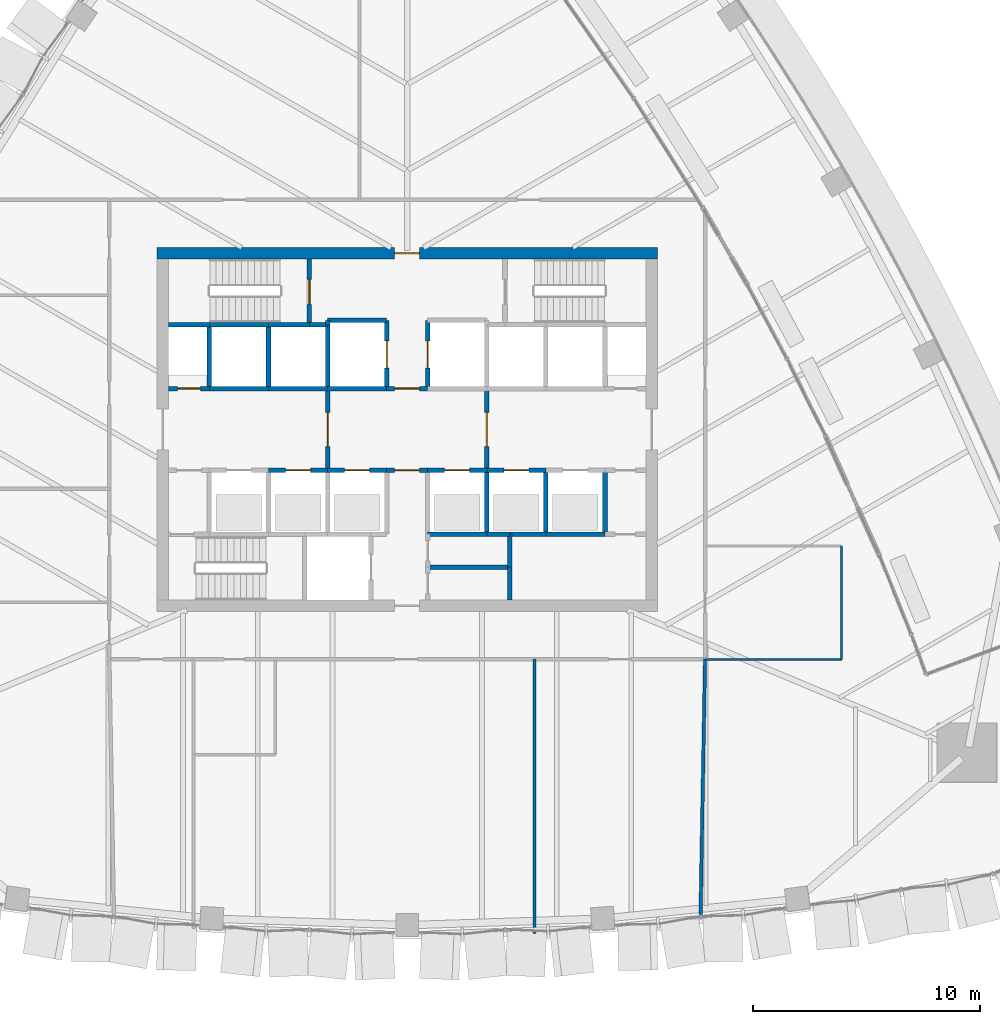
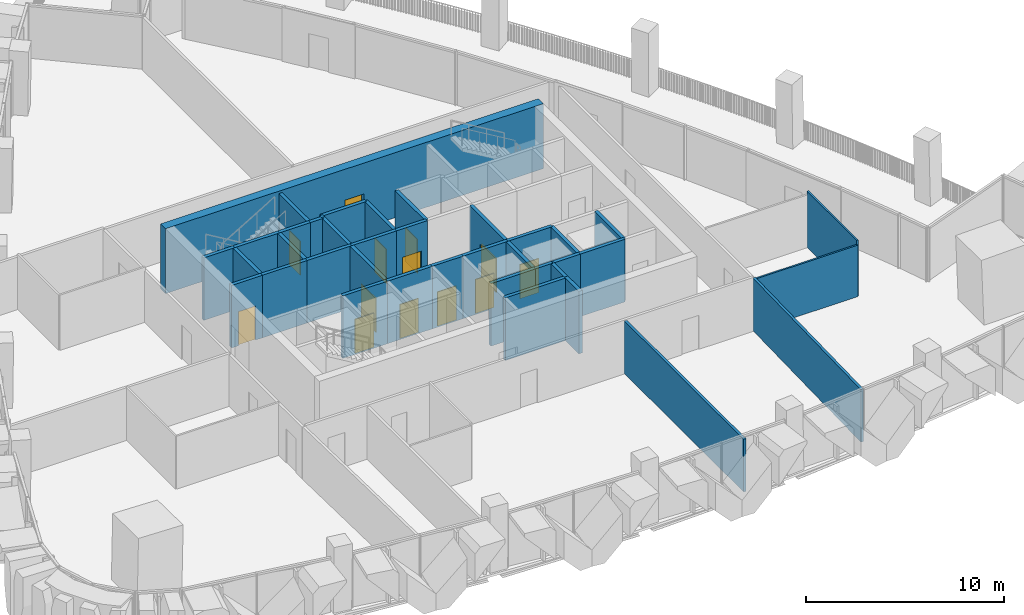
# One storey, part 15 of 22: 39 walls, 13 doors, 13 openings.
"""IFC4 building model written with IfcOpenShell, lengths in metres."""

from ifc_helpers import new_model, si_unit, direction, frame, frame_2d, origin, place, context, subcontext, project, spatial, rectangle, extrude, material, layer, layer_set, type_object, element, fill, save


model = new_model("IFC4")

# Units and contexts
model_context = context("Model", 3, precision=1e-05, world=origin(), true_north=direction((0.0, 1.0)))
body_context = subcontext(model_context, "Body", "Model", "MODEL_VIEW")
ifc_project = project(units=[si_unit("LENGTHUNIT", "METRE"), si_unit("AREAUNIT", "SQUARE_METRE"), si_unit("VOLUMEUNIT", "CUBIC_METRE"), si_unit("PLANEANGLEUNIT", "RADIAN"), si_unit("MASSUNIT", "GRAM", prefix="KILO")], contexts=[model_context])

# Site, building, storey
site_placement = place(None, origin())
site = spatial("IfcSite", under=ifc_project, at=site_placement, CompositionType="ELEMENT")
building_placement = place(site_placement, origin())
building = spatial("IfcBuilding", under=site, at=building_placement, Name="Sierra Prisma Convention Tower", CompositionType="ELEMENT")
storey_placement = place(building_placement, frame((0.0, 0.0, 141.800048828125)))
storey = spatial("IfcBuildingStorey", under=building, at=storey_placement, Name="L30", CompositionType="ELEMENT", Elevation=141.800048828125)

# Walls
ifc_material_1 = material(Name="Gypsum board partition", Category="gypsum")
ifc_layer_1 = layer(ifc_material_1, 0.10009765625)
ifc_layer_set_1 = layer_set([ifc_layer_1], Name="Bathroom partition 100")
wall_type_1 = type_object("IfcWallType", Name="Bathroom partition 100", PredefinedType="PARTITIONING", material=ifc_layer_set_1)
wall_1_placement = place(storey_placement, frame((19.10009765625, -5.1201171875, 0.0), z_axis=(0.0, 0.0, 1.0), x_axis=(0.0, -1.0, 0.0)))
element("IfcWall", 1, at=wall_1_placement, inside=storey, type_object=wall_type_1, Name="Partition L30 bath 8", PredefinedType="PARTITIONING", context=body_context, shape_type="SweptSolid", body=[
    extrude(rectangle(XDim=5.0, YDim=0.10009765625, at=frame_2d((2.5, 0.0))), origin(), (0.0, 0.0, 1.0), 3.449951171875),
])
wall_2_placement = place(storey_placement, frame((19.10009765625, -10.1201171875, 0.0), z_axis=(0.0, 0.0, 1.0), x_axis=(-1.0, 0.0, 0.0)))
element("IfcWall", 2, at=wall_2_placement, inside=storey, type_object=wall_type_1, Name="Partition L30 bath 9", PredefinedType="PARTITIONING", context=body_context, shape_type="SweptSolid", body=[
    extrude(rectangle(XDim=5.97021484375, YDim=0.10009765625, at=frame_2d((2.985107421875, 0.0))), origin(), (0.0, 0.0, 1.0), 3.166015625),
])

# Wall, opening, door
ifc_material_2 = material(Name="Concrete C30/37", Category="concrete")
ifc_layer_2 = layer(ifc_material_2, 0.199951171875)
ifc_layer_set_2 = layer_set([ifc_layer_2], Name="Core wall RC 200 C30/37")
wall_type_2 = type_object("IfcWallType", Name="Core wall RC 200 C30/37", PredefinedType="SOLIDWALL", material=ifc_layer_set_2)
wall_3_placement = place(storey_placement, frame((-8.699951171875, 1.800048828125, 0.0), z_axis=(0.0, 0.0, 1.0), x_axis=(-1.0, 0.0, 0.0)))
wall_3 = element("IfcWall", 3, at=wall_3_placement, inside=storey, type_object=wall_type_2, Name="Core wall L30 3", PredefinedType="SOLIDWALL", context=body_context, shape_type="SweptSolid", body=[
    extrude(rectangle(XDim=1.800048828125, YDim=0.199951171875, at=frame_2d((0.89990234375, 0.0))), origin(), (0.0, 0.0, 1.0), 3.849853515625),
])
opening_1_placement = place(wall_3_placement, frame((0.39990234375, 0.0, 0.0)))
opening_1 = element("IfcOpeningElement", 4, at=opening_1_placement, cuts=wall_3, Name="Opening L30-D018", PredefinedType="OPENING", context=body_context, shape_type="SweptSolid", body=[
    extrude(rectangle(XDim=1.0, YDim=2.10009765625, at=frame_2d((0.5, 1.050048828125))), frame((0.0, 0.10009765625, 0.0), z_axis=(0.0, -1.0, 0.0), x_axis=(1.0, 0.0, 0.0)), (0.0, 0.0, 1.0), 0.199951171875),
])
ifc_material_3 = material(Name="Steel fire door leaf", Category="steel")
door_type_1 = type_object("IfcDoorType", Name="Door 1000x2100 FD60S", OperationType="SINGLE_SWING_LEFT", PredefinedType="DOOR", material=ifc_material_3)
door_1_placement = place(opening_1_placement, origin())
door_1 = element("IfcDoor", 5, at=door_1_placement, inside=storey, type_object=door_type_1, Name="Door L30 27", OperationType="SINGLE_SWING_LEFT", OverallHeight=2.10009765625, OverallWidth=1.0, PredefinedType="DOOR", context=body_context, shape_type="SweptSolid", body=[
    extrude(rectangle(XDim=1.0, YDim=2.10009765625, at=frame_2d((0.5, 1.050048828125))), frame((0.0, 0.02490234375, 0.0), z_axis=(0.0, -1.0, 0.0), x_axis=(1.0, 0.0, 0.0)), (0.0, 0.0, 1.0), 0.050048828125),
])
fill(opening_1, door_1)

# Walls
wall_4_placement = place(storey_placement, frame((-8.699951171875, 4.60009765625, 0.0), z_axis=(0.0, 0.0, 1.0), x_axis=(-1.0, 0.0, 0.0)))
element("IfcWall", 6, at=wall_4_placement, inside=storey, type_object=wall_type_2, Name="Core wall L30 4", PredefinedType="SOLIDWALL", context=body_context, shape_type="SweptSolid", body=[
    extrude(rectangle(XDim=1.800048828125, YDim=0.199951171875, at=frame_2d((0.89990234375, 0.0))), origin(), (0.0, 0.0, 1.0), 3.849853515625),
])
wall_5_placement = place(storey_placement, frame((-6.10009765625, 1.800048828125, 0.0), z_axis=(0.0, 0.0, 1.0), x_axis=(-1.0, 0.0, 0.0)))
element("IfcWall", 7, at=wall_5_placement, inside=storey, type_object=wall_type_2, Name="Core wall L30 8", PredefinedType="SOLIDWALL", context=body_context, shape_type="SweptSolid", body=[
    extrude(rectangle(XDim=2.599853515625, YDim=0.199951171875, at=frame_2d((1.2998046875, 0.0))), origin(), (0.0, 0.0, 1.0), 3.849853515625),
])
wall_6_placement = place(storey_placement, frame((-8.699951171875, 1.800048828125, 0.0), z_axis=(0.0, 0.0, 1.0), x_axis=(0.0, 1.0, 0.0)))
element("IfcWall", 8, at=wall_6_placement, inside=storey, type_object=wall_type_2, Name="Core wall L30 9", PredefinedType="SOLIDWALL", context=body_context, shape_type="SweptSolid", body=[
    extrude(rectangle(XDim=2.800048828125, YDim=0.199951171875, at=frame_2d((1.39990234375, 0.0))), origin(), (0.0, 0.0, 1.0), 3.849853515625),
])
wall_7_placement = place(storey_placement, frame((-6.10009765625, 4.60009765625, 0.0), z_axis=(0.0, 0.0, 1.0), x_axis=(-1.0, 0.0, 0.0)))
element("IfcWall", 9, at=wall_7_placement, inside=storey, type_object=wall_type_2, Name="Core wall L30 10", PredefinedType="SOLIDWALL", context=body_context, shape_type="SweptSolid", body=[
    extrude(rectangle(XDim=2.599853515625, YDim=0.199951171875, at=frame_2d((1.2998046875, 0.0))), origin(), (0.0, 0.0, 1.0), 3.849853515625),
])

# Wall, opening, door
wall_8_placement = place(storey_placement, frame((-6.10009765625, -1.800048828125, 0.0), z_axis=(0.0, 0.0, 1.0), x_axis=(1.0, 0.0, 0.0)))
wall_8 = element("IfcWall", 10, at=wall_8_placement, inside=storey, type_object=wall_type_2, Name="Core wall L30 13", PredefinedType="SOLIDWALL", context=body_context, shape_type="SweptSolid", body=[
    extrude(rectangle(XDim=2.60009765625, YDim=0.199951171875, at=frame_2d((1.300048828125, 0.0))), origin(), (0.0, 0.0, 1.0), 3.849853515625),
])
opening_2_placement = place(wall_8_placement, frame((0.75, 0.0, 0.0)))
opening_2 = element("IfcOpeningElement", 11, at=opening_2_placement, cuts=wall_8, Name="Opening L30-D005", PredefinedType="OPENING", context=body_context, shape_type="SweptSolid", body=[
    extrude(rectangle(XDim=1.10009765625, YDim=2.10009765625, at=frame_2d((0.550048828125, 1.050048828125))), frame((0.0, 0.10009765625, 0.0), z_axis=(0.0, -1.0, 0.0), x_axis=(1.0, 0.0, 0.0)), (0.0, 0.0, 1.0), 0.199951171875),
])
ifc_material_4 = material(Name="Steel fire door leaf", Category="steel")
door_type_2 = type_object("IfcDoorType", Name="Door 1100x2100 EI 90 sliding lift landing", OperationType="SLIDING_TO_LEFT", PredefinedType="DOOR", material=ifc_material_4)
door_2_placement = place(opening_2_placement, origin())
door_2 = element("IfcDoor", 12, at=door_2_placement, inside=storey, type_object=door_type_2, Name="Door L30 14", OperationType="SLIDING_TO_RIGHT", OverallHeight=2.10009765625, OverallWidth=1.10009765625, PredefinedType="DOOR", context=body_context, shape_type="SweptSolid", body=[
    extrude(rectangle(XDim=1.10009765625, YDim=2.10009765625, at=frame_2d((0.550048828125, 1.050048828125))), frame((0.0, 0.02490234375, 0.0), z_axis=(0.0, -1.0, 0.0), x_axis=(1.0, 0.0, 0.0)), (0.0, 0.0, 1.0), 0.050048828125),
])
fill(opening_2, door_2)

# Walls
wall_9_placement = place(storey_placement, frame((-3.5, 1.800048828125, 0.0), z_axis=(0.0, 0.0, 1.0), x_axis=(-1.0, 0.0, 0.0)))
element("IfcWall", 13, at=wall_9_placement, inside=storey, type_object=wall_type_2, Name="Core wall L30 14", PredefinedType="SOLIDWALL", context=body_context, shape_type="SweptSolid", body=[
    extrude(rectangle(XDim=2.60009765625, YDim=0.199951171875, at=frame_2d((1.300048828125, 0.0))), origin(), (0.0, 0.0, 1.0), 3.849853515625),
])
wall_10_placement = place(storey_placement, frame((-6.10009765625, 1.800048828125, 0.0), z_axis=(0.0, 0.0, 1.0), x_axis=(0.0, 1.0, 0.0)))
element("IfcWall", 14, at=wall_10_placement, inside=storey, type_object=wall_type_2, Name="Core wall L30 15", PredefinedType="SOLIDWALL", context=body_context, shape_type="SweptSolid", body=[
    extrude(rectangle(XDim=2.800048828125, YDim=0.199951171875, at=frame_2d((1.39990234375, 0.0))), origin(), (0.0, 0.0, 1.0), 3.849853515625),
])
wall_11_placement = place(storey_placement, frame((-4.300048828125, 4.60009765625, 0.0), z_axis=(0.0, 0.0, 1.0), x_axis=(-1.0, 0.0, 0.0)))
element("IfcWall", 15, at=wall_11_placement, inside=storey, type_object=wall_type_2, Name="Core wall L30 16", PredefinedType="SOLIDWALL", context=body_context, shape_type="SweptSolid", body=[
    extrude(rectangle(XDim=1.800048828125, YDim=0.199951171875, at=frame_2d((0.89990234375, 0.0))), origin(), (0.0, 0.0, 1.0), 3.849853515625),
])
wall_12_placement = place(storey_placement, frame((-3.5, 4.60009765625, 0.0), z_axis=(0.0, 0.0, 1.0), x_axis=(-1.0, 0.0, 0.0)))
element("IfcWall", 16, at=wall_12_placement, inside=storey, type_object=wall_type_2, Name="Core wall L30 19", PredefinedType="SOLIDWALL", context=body_context, shape_type="SweptSolid", body=[
    extrude(rectangle(XDim=0.800048828125, YDim=0.199951171875, at=frame_2d((0.39990234375, 0.0))), origin(), (0.0, 0.0, 1.0), 3.849853515625),
])

# Wall, opening, door
wall_13_placement = place(storey_placement, frame((-4.300048828125, 4.60009765625, 0.0), z_axis=(0.0, 0.0, 1.0), x_axis=(0.0, 1.0, 0.0)))
wall_13 = element("IfcWall", 17, at=wall_13_placement, inside=storey, type_object=wall_type_2, Name="Core wall L30 20", PredefinedType="SOLIDWALL", context=body_context, shape_type="SweptSolid", body=[
    extrude(rectangle(XDim=2.89990234375, YDim=0.199951171875, at=frame_2d((1.449951171875, 0.0))), origin(), (0.0, 0.0, 1.0), 3.849853515625),
])
opening_3_placement = place(wall_13_placement, frame((0.89990234375, 0.0, 0.0)))
opening_3 = element("IfcOpeningElement", 18, at=opening_3_placement, cuts=wall_13, Name="Opening L30-D021", PredefinedType="OPENING", context=body_context, shape_type="SweptSolid", body=[
    extrude(rectangle(XDim=1.10009765625, YDim=2.10009765625, at=frame_2d((0.550048828125, 1.050048828125))), frame((0.0, 0.10009765625, 0.0), z_axis=(0.0, -1.0, 0.0), x_axis=(1.0, 0.0, 0.0)), (0.0, 0.0, 1.0), 0.199951171875),
])
ifc_material_5 = material(Name="Steel fire door leaf", Category="steel")
door_type_3 = type_object("IfcDoorType", Name="Door 1100x2100 FD90S", OperationType="SINGLE_SWING_LEFT", PredefinedType="DOOR", material=ifc_material_5)
door_3_placement = place(opening_3_placement, origin())
door_3 = element("IfcDoor", 19, at=door_3_placement, inside=storey, type_object=door_type_3, Name="Door L30 30", OperationType="SINGLE_SWING_RIGHT", OverallHeight=2.10009765625, OverallWidth=1.10009765625, PredefinedType="DOOR", context=body_context, shape_type="SweptSolid", body=[
    extrude(rectangle(XDim=1.10009765625, YDim=2.10009765625, at=frame_2d((0.550048828125, 1.050048828125))), frame((0.0, 0.02490234375, 0.0), z_axis=(0.0, -1.0, 0.0), x_axis=(1.0, 0.0, 0.0)), (0.0, 0.0, 1.0), 0.050048828125),
])
fill(opening_3, door_3)

wall_14_placement = place(storey_placement, frame((-3.5, -1.800048828125, 0.0), z_axis=(0.0, 0.0, 1.0), x_axis=(1.0, 0.0, 0.0)))
wall_14 = element("IfcWall", 20, at=wall_14_placement, inside=storey, type_object=wall_type_2, Name="Core wall L30 23", PredefinedType="SOLIDWALL", context=body_context, shape_type="SweptSolid", body=[
    extrude(rectangle(XDim=2.60009765625, YDim=0.199951171875, at=frame_2d((1.300048828125, 0.0))), origin(), (0.0, 0.0, 1.0), 3.849853515625),
])
opening_4_placement = place(wall_14_placement, frame((0.75, 0.0, 0.0)))
opening_4 = element("IfcOpeningElement", 21, at=opening_4_placement, cuts=wall_14, Name="Opening L30-D006", PredefinedType="OPENING", context=body_context, shape_type="SweptSolid", body=[
    extrude(rectangle(XDim=1.10009765625, YDim=2.10009765625, at=frame_2d((0.550048828125, 1.050048828125))), frame((0.0, 0.10009765625, 0.0), z_axis=(0.0, -1.0, 0.0), x_axis=(1.0, 0.0, 0.0)), (0.0, 0.0, 1.0), 0.199951171875),
])
door_4_placement = place(opening_4_placement, origin())
door_4 = element("IfcDoor", 22, at=door_4_placement, inside=storey, type_object=door_type_2, Name="Door L30 15", OperationType="SLIDING_TO_LEFT", OverallHeight=2.10009765625, OverallWidth=1.10009765625, PredefinedType="DOOR", context=body_context, shape_type="SweptSolid", body=[
    extrude(rectangle(XDim=1.10009765625, YDim=2.10009765625, at=frame_2d((0.550048828125, 1.050048828125))), frame((0.0, 0.02490234375, 0.0), z_axis=(0.0, -1.0, 0.0), x_axis=(1.0, 0.0, 0.0)), (0.0, 0.0, 1.0), 0.050048828125),
])
fill(opening_4, door_4)

wall_15_placement = place(storey_placement, frame((-3.5, 1.800048828125, 0.0), z_axis=(0.0, 0.0, 1.0), x_axis=(0.0, -1.0, 0.0)))
wall_15 = element("IfcWall", 23, at=wall_15_placement, inside=storey, type_object=wall_type_2, Name="Core wall L30 24", PredefinedType="SOLIDWALL", context=body_context, shape_type="SweptSolid", body=[
    extrude(rectangle(XDim=3.60009765625, YDim=0.199951171875, at=frame_2d((1.800048828125, 0.0))), origin(), (0.0, 0.0, 1.0), 3.849853515625),
])
opening_5_placement = place(wall_15_placement, frame((1.050048828125, 0.0, 0.0)))
opening_5 = element("IfcOpeningElement", 24, at=opening_5_placement, cuts=wall_15, Name="Opening L30-D013", PredefinedType="OPENING", context=body_context, shape_type="SweptSolid", body=[
    extrude(rectangle(XDim=1.5, YDim=2.10009765625, at=frame_2d((0.75, 1.050048828125))), frame((0.0, 0.10009765625, 0.0), z_axis=(0.0, -1.0, 0.0), x_axis=(1.0, 0.0, 0.0)), (0.0, 0.0, 1.0), 0.199951171875),
])
ifc_material_6 = material(Name="Steel fire door leaf", Category="steel")
door_type_4 = type_object("IfcDoorType", Name="Door 1500x2100 FD30S", OperationType="DOUBLE_DOOR_SINGLE_SWING", PredefinedType="DOOR", material=ifc_material_6)
door_5_placement = place(opening_5_placement, origin())
door_5 = element("IfcDoor", 25, at=door_5_placement, inside=storey, type_object=door_type_4, Name="Door L30 22", OperationType="DOUBLE_DOOR_SINGLE_SWING", OverallHeight=2.10009765625, OverallWidth=1.5, PredefinedType="DOOR", context=body_context, shape_type="SweptSolid", body=[
    extrude(rectangle(XDim=1.5, YDim=2.10009765625, at=frame_2d((0.75, 1.050048828125))), frame((0.0, 0.02490234375, 0.0), z_axis=(0.0, -1.0, 0.0), x_axis=(1.0, 0.0, 0.0)), (0.0, 0.0, 1.0), 0.050048828125),
])
fill(opening_5, door_5)

# Walls
wall_16_placement = place(storey_placement, frame((-0.89990234375, 1.800048828125, 0.0), z_axis=(0.0, 0.0, 1.0), x_axis=(-1.0, 0.0, 0.0)))
element("IfcWall", 26, at=wall_16_placement, inside=storey, type_object=wall_type_2, Name="Core wall L30 25", PredefinedType="SOLIDWALL", context=body_context, shape_type="SweptSolid", body=[
    extrude(rectangle(XDim=2.60009765625, YDim=0.199951171875, at=frame_2d((1.300048828125, 0.0))), origin(), (0.0, 0.0, 1.0), 3.849853515625),
])
wall_17_placement = place(storey_placement, frame((-3.5, 4.60009765625, 0.0), z_axis=(0.0, 0.0, 1.0), x_axis=(0.0, -1.0, 0.0)))
element("IfcWall", 27, at=wall_17_placement, inside=storey, type_object=wall_type_2, Name="Core wall L30 26", PredefinedType="SOLIDWALL", context=body_context, shape_type="SweptSolid", body=[
    extrude(rectangle(XDim=2.800048828125, YDim=0.199951171875, at=frame_2d((1.39990234375, 0.0))), origin(), (0.0, 0.0, 1.0), 3.849853515625),
])

# Wall, opening, door
wall_18_placement = place(storey_placement, frame((-0.89990234375, 1.800048828125, 0.0), z_axis=(0.0, 0.0, 1.0), x_axis=(0.0, 1.0, 0.0)))
wall_18 = element("IfcWall", 28, at=wall_18_placement, inside=storey, type_object=wall_type_2, Name="Core wall L30 27", PredefinedType="SOLIDWALL", context=body_context, shape_type="SweptSolid", body=[
    extrude(rectangle(XDim=3.0, YDim=0.199951171875, at=frame_2d((1.5, 0.0))), origin(), (0.0, 0.0, 1.0), 3.849853515625),
])
opening_6_placement = place(wall_18_placement, frame((0.89990234375, 0.0, 0.0)))
opening_6 = element("IfcOpeningElement", 29, at=opening_6_placement, cuts=wall_18, Name="Opening L30-D010", PredefinedType="OPENING", context=body_context, shape_type="SweptSolid", body=[
    extrude(rectangle(XDim=1.199951171875, YDim=2.10009765625, at=frame_2d((0.60009765625, 1.050048828125))), frame((0.0, 0.10009765625, 0.0), z_axis=(0.0, -1.0, 0.0), x_axis=(1.0, 0.0, 0.0)), (0.0, 0.0, 1.0), 0.199951171875),
])
ifc_material_7 = material(Name="Steel fire door leaf", Category="steel")
door_type_5 = type_object("IfcDoorType", Name="Door 1200x2100 EI 90 sliding lift landing", OperationType="SLIDING_TO_LEFT", PredefinedType="DOOR", material=ifc_material_7)
door_6_placement = place(opening_6_placement, origin())
door_6 = element("IfcDoor", 30, at=door_6_placement, inside=storey, type_object=door_type_5, Name="Door L30 19", OperationType="SLIDING_TO_LEFT", OverallHeight=2.10009765625, OverallWidth=1.199951171875, PredefinedType="DOOR", context=body_context, shape_type="SweptSolid", body=[
    extrude(rectangle(XDim=1.199951171875, YDim=2.10009765625, at=frame_2d((0.60009765625, 1.050048828125))), frame((0.0, 0.02490234375, 0.0), z_axis=(0.0, -1.0, 0.0), x_axis=(1.0, 0.0, 0.0)), (0.0, 0.0, 1.0), 0.050048828125),
])
fill(opening_6, door_6)

# Walls
wall_19_placement = place(storey_placement, frame((-0.89990234375, 4.800048828125, 0.0), z_axis=(0.0, 0.0, 1.0), x_axis=(-1.0, 0.0, 0.0)))
element("IfcWall", 31, at=wall_19_placement, inside=storey, type_object=wall_type_2, Name="Core wall L30 28", PredefinedType="SOLIDWALL", context=body_context, shape_type="SweptSolid", body=[
    extrude(rectangle(XDim=2.60009765625, YDim=0.199951171875, at=frame_2d((1.300048828125, 0.0))), origin(), (0.0, 0.0, 1.0), 3.849853515625),
])
wall_20_placement = place(storey_placement, frame((-3.5, 4.800048828125, 0.0), z_axis=(0.0, 0.0, 1.0), x_axis=(0.0, -1.0, 0.0)))
element("IfcWall", 32, at=wall_20_placement, inside=storey, type_object=wall_type_2, Name="Core wall L30 29", PredefinedType="SOLIDWALL", context=body_context, shape_type="SweptSolid", body=[
    extrude(rectangle(XDim=0.199951171875, YDim=0.199951171875, at=frame_2d((0.10009765625, 0.0))), origin(), (0.0, 0.0, 1.0), 3.849853515625),
])

# Wall, opening, door
wall_21_placement = place(storey_placement, frame((-0.89990234375, -1.800048828125, 0.0), z_axis=(0.0, 0.0, 1.0), x_axis=(1.0, 0.0, 0.0)))
wall_21 = element("IfcWall", 33, at=wall_21_placement, inside=storey, type_object=wall_type_2, Name="Core wall L30 33", PredefinedType="SOLIDWALL", context=body_context, shape_type="SweptSolid", body=[
    extrude(rectangle(XDim=1.7998046875, YDim=0.199951171875, at=frame_2d((0.89990234375, 0.0))), origin(), (0.0, 0.0, 1.0), 3.849853515625),
])
opening_7_placement = place(wall_21_placement, frame((0.35009765625, 0.0, 0.0)))
opening_7 = element("IfcOpeningElement", 34, at=opening_7_placement, cuts=wall_21, Name="Opening L30-D017", PredefinedType="OPENING", context=body_context, shape_type="SweptSolid", body=[
    extrude(rectangle(XDim=1.10009765625, YDim=2.10009765625, at=frame_2d((0.550048828125, 1.050048828125))), frame((0.0, 0.10009765625, 0.0), z_axis=(0.0, -1.0, 0.0), x_axis=(1.0, 0.0, 0.0)), (0.0, 0.0, 1.0), 0.199951171875),
])
ifc_material_8 = material(Name="Steel fire door leaf", Category="steel")
door_type_6 = type_object("IfcDoorType", Name="Door 1100x2100 FD30S", OperationType="SINGLE_SWING_LEFT", PredefinedType="DOOR", material=ifc_material_8)
door_7_placement = place(opening_7_placement, origin())
door_7 = element("IfcDoor", 35, at=door_7_placement, inside=storey, type_object=door_type_6, Name="Door L30 26", OperationType="SINGLE_SWING_LEFT", OverallHeight=2.10009765625, OverallWidth=1.10009765625, PredefinedType="DOOR", context=body_context, shape_type="SweptSolid", body=[
    extrude(rectangle(XDim=1.10009765625, YDim=2.10009765625, at=frame_2d((0.550048828125, 1.050048828125))), frame((0.0, 0.02490234375, 0.0), z_axis=(0.0, -1.0, 0.0), x_axis=(1.0, 0.0, 0.0)), (0.0, 0.0, 1.0), 0.050048828125),
])
fill(opening_7, door_7)

wall_22_placement = place(storey_placement, frame((0.89990234375, 1.800048828125, 0.0), z_axis=(0.0, 0.0, 1.0), x_axis=(-1.0, 0.0, 0.0)))
wall_22 = element("IfcWall", 36, at=wall_22_placement, inside=storey, type_object=wall_type_2, Name="Core wall L30 34", PredefinedType="SOLIDWALL", context=body_context, shape_type="SweptSolid", body=[
    extrude(rectangle(XDim=1.7998046875, YDim=0.199951171875, at=frame_2d((0.89990234375, 0.0))), origin(), (0.0, 0.0, 1.0), 3.849853515625),
])
opening_8_placement = place(wall_22_placement, frame((0.35009765625, 0.0, 0.0)))
opening_8 = element("IfcOpeningElement", 37, at=opening_8_placement, cuts=wall_22, Name="Opening L30-D016", PredefinedType="OPENING", context=body_context, shape_type="SweptSolid", body=[
    extrude(rectangle(XDim=1.10009765625, YDim=2.10009765625, at=frame_2d((0.550048828125, 1.050048828125))), frame((0.0, 0.10009765625, 0.0), z_axis=(0.0, -1.0, 0.0), x_axis=(1.0, 0.0, 0.0)), (0.0, 0.0, 1.0), 0.199951171875),
])
ifc_material_9 = material(Name="Steel fire door leaf", Category="steel")
door_type_7 = type_object("IfcDoorType", Name="Door 1100x2100 FD60S", OperationType="SINGLE_SWING_LEFT", PredefinedType="DOOR", material=ifc_material_9)
door_8_placement = place(opening_8_placement, origin())
door_8 = element("IfcDoor", 38, at=door_8_placement, inside=storey, type_object=door_type_7, Name="Door L30 25", OperationType="SINGLE_SWING_RIGHT", OverallHeight=2.10009765625, OverallWidth=1.10009765625, PredefinedType="DOOR", context=body_context, shape_type="SweptSolid", body=[
    extrude(rectangle(XDim=1.10009765625, YDim=2.10009765625, at=frame_2d((0.550048828125, 1.050048828125))), frame((0.0, 0.02490234375, 0.0), z_axis=(0.0, -1.0, 0.0), x_axis=(1.0, 0.0, 0.0)), (0.0, 0.0, 1.0), 0.050048828125),
])
fill(opening_8, door_8)

# Walls
wall_23_placement = place(storey_placement, frame((4.5, -6.050048828125, 0.0), z_axis=(0.0, 0.0, 1.0), x_axis=(-1.0, 0.0, 0.0)))
element("IfcWall", 39, at=wall_23_placement, inside=storey, type_object=wall_type_2, Name="Core wall L30 36", PredefinedType="SOLIDWALL", context=body_context, shape_type="SweptSolid", body=[
    extrude(rectangle(XDim=3.60009765625, YDim=0.199951171875, at=frame_2d((1.800048828125, 0.0))), origin(), (0.0, 0.0, 1.0), 3.849853515625),
])
wall_24_placement = place(storey_placement, frame((3.5, -4.60009765625, 0.0), z_axis=(0.0, 0.0, 1.0), x_axis=(-1.0, 0.0, 0.0)))
element("IfcWall", 40, at=wall_24_placement, inside=storey, type_object=wall_type_2, Name="Core wall L30 38", PredefinedType="SOLIDWALL", context=body_context, shape_type="SweptSolid", body=[
    extrude(rectangle(XDim=2.60009765625, YDim=0.199951171875, at=frame_2d((1.300048828125, 0.0))), origin(), (0.0, 0.0, 1.0), 3.849853515625),
])

# Wall, opening, door
wall_25_placement = place(storey_placement, frame((0.89990234375, -1.800048828125, 0.0), z_axis=(0.0, 0.0, 1.0), x_axis=(1.0, 0.0, 0.0)))
wall_25 = element("IfcWall", 41, at=wall_25_placement, inside=storey, type_object=wall_type_2, Name="Core wall L30 40", PredefinedType="SOLIDWALL", context=body_context, shape_type="SweptSolid", body=[
    extrude(rectangle(XDim=2.60009765625, YDim=0.199951171875, at=frame_2d((1.300048828125, 0.0))), origin(), (0.0, 0.0, 1.0), 3.849853515625),
])
opening_9_placement = place(wall_25_placement, frame((0.75, 0.0, 0.0)))
opening_9 = element("IfcOpeningElement", 42, at=opening_9_placement, cuts=wall_25, Name="Opening L30-D007", PredefinedType="OPENING", context=body_context, shape_type="SweptSolid", body=[
    extrude(rectangle(XDim=1.10009765625, YDim=2.10009765625, at=frame_2d((0.550048828125, 1.050048828125))), frame((0.0, 0.10009765625, 0.0), z_axis=(0.0, -1.0, 0.0), x_axis=(1.0, 0.0, 0.0)), (0.0, 0.0, 1.0), 0.199951171875),
])
door_9_placement = place(opening_9_placement, origin())
door_9 = element("IfcDoor", 43, at=door_9_placement, inside=storey, type_object=door_type_2, Name="Door L30 16", OperationType="SLIDING_TO_RIGHT", OverallHeight=2.10009765625, OverallWidth=1.10009765625, PredefinedType="DOOR", context=body_context, shape_type="SweptSolid", body=[
    extrude(rectangle(XDim=1.10009765625, YDim=2.10009765625, at=frame_2d((0.550048828125, 1.050048828125))), frame((0.0, 0.02490234375, 0.0), z_axis=(0.0, -1.0, 0.0), x_axis=(1.0, 0.0, 0.0)), (0.0, 0.0, 1.0), 0.050048828125),
])
fill(opening_9, door_9)

wall_26_placement = place(storey_placement, frame((0.89990234375, 4.800048828125, 0.0), z_axis=(0.0, 0.0, 1.0), x_axis=(0.0, -1.0, 0.0)))
wall_26 = element("IfcWall", 44, at=wall_26_placement, inside=storey, type_object=wall_type_2, Name="Core wall L30 44", PredefinedType="SOLIDWALL", context=body_context, shape_type="SweptSolid", body=[
    extrude(rectangle(XDim=3.0, YDim=0.199951171875, at=frame_2d((1.5, 0.0))), origin(), (0.0, 0.0, 1.0), 3.849853515625),
])
opening_10_placement = place(wall_26_placement, frame((0.89990234375, 0.0, 0.0)))
opening_10 = element("IfcOpeningElement", 45, at=opening_10_placement, cuts=wall_26, Name="Opening L30-D011", PredefinedType="OPENING", context=body_context, shape_type="SweptSolid", body=[
    extrude(rectangle(XDim=1.199951171875, YDim=2.10009765625, at=frame_2d((0.60009765625, 1.050048828125))), frame((0.0, 0.10009765625, 0.0), z_axis=(0.0, -1.0, 0.0), x_axis=(1.0, 0.0, 0.0)), (0.0, 0.0, 1.0), 0.199951171875),
])
door_10_placement = place(opening_10_placement, origin())
door_10 = element("IfcDoor", 46, at=door_10_placement, inside=storey, type_object=door_type_5, Name="Door L30 20", OperationType="SLIDING_TO_LEFT", OverallHeight=2.10009765625, OverallWidth=1.199951171875, PredefinedType="DOOR", context=body_context, shape_type="SweptSolid", body=[
    extrude(rectangle(XDim=1.199951171875, YDim=2.10009765625, at=frame_2d((0.60009765625, 1.050048828125))), frame((0.0, 0.02490234375, 0.0), z_axis=(0.0, -1.0, 0.0), x_axis=(1.0, 0.0, 0.0)), (0.0, 0.0, 1.0), 0.050048828125),
])
fill(opening_10, door_10)

# Walls
wall_27_placement = place(storey_placement, frame((4.5, -4.60009765625, 0.0), z_axis=(0.0, 0.0, 1.0), x_axis=(-1.0, 0.0, 0.0)))
element("IfcWall", 47, at=wall_27_placement, inside=storey, type_object=wall_type_2, Name="Core wall L30 45", PredefinedType="SOLIDWALL", context=body_context, shape_type="SweptSolid", body=[
    extrude(rectangle(XDim=1.0, YDim=0.199951171875, at=frame_2d((0.5, 0.0))), origin(), (0.0, 0.0, 1.0), 3.849853515625),
])
wall_28_placement = place(storey_placement, frame((3.5, -4.60009765625, 0.0), z_axis=(0.0, 0.0, 1.0), x_axis=(0.0, 1.0, 0.0)))
element("IfcWall", 48, at=wall_28_placement, inside=storey, type_object=wall_type_2, Name="Core wall L30 46", PredefinedType="SOLIDWALL", context=body_context, shape_type="SweptSolid", body=[
    extrude(rectangle(XDim=2.800048828125, YDim=0.199951171875, at=frame_2d((1.39990234375, 0.0))), origin(), (0.0, 0.0, 1.0), 3.849853515625),
])

# Wall, opening, door
wall_29_placement = place(storey_placement, frame((3.5, -1.800048828125, 0.0), z_axis=(0.0, 0.0, 1.0), x_axis=(1.0, 0.0, 0.0)))
wall_29 = element("IfcWall", 49, at=wall_29_placement, inside=storey, type_object=wall_type_2, Name="Core wall L30 47", PredefinedType="SOLIDWALL", context=body_context, shape_type="SweptSolid", body=[
    extrude(rectangle(XDim=2.60009765625, YDim=0.199951171875, at=frame_2d((1.300048828125, 0.0))), origin(), (0.0, 0.0, 1.0), 3.849853515625),
])
opening_11_placement = place(wall_29_placement, frame((0.75, 0.0, 0.0)))
opening_11 = element("IfcOpeningElement", 50, at=opening_11_placement, cuts=wall_29, Name="Opening L30-D008", PredefinedType="OPENING", context=body_context, shape_type="SweptSolid", body=[
    extrude(rectangle(XDim=1.10009765625, YDim=2.10009765625, at=frame_2d((0.550048828125, 1.050048828125))), frame((0.0, 0.10009765625, 0.0), z_axis=(0.0, -1.0, 0.0), x_axis=(1.0, 0.0, 0.0)), (0.0, 0.0, 1.0), 0.199951171875),
])
door_11_placement = place(opening_11_placement, origin())
door_11 = element("IfcDoor", 51, at=door_11_placement, inside=storey, type_object=door_type_2, Name="Door L30 17", OperationType="SLIDING_TO_RIGHT", OverallHeight=2.10009765625, OverallWidth=1.10009765625, PredefinedType="DOOR", context=body_context, shape_type="SweptSolid", body=[
    extrude(rectangle(XDim=1.10009765625, YDim=2.10009765625, at=frame_2d((0.550048828125, 1.050048828125))), frame((0.0, 0.02490234375, 0.0), z_axis=(0.0, -1.0, 0.0), x_axis=(1.0, 0.0, 0.0)), (0.0, 0.0, 1.0), 0.050048828125),
])
fill(opening_11, door_11)

wall_30_placement = place(storey_placement, frame((3.5, -1.800048828125, 0.0), z_axis=(0.0, 0.0, 1.0), x_axis=(0.0, 1.0, 0.0)))
wall_30 = element("IfcWall", 52, at=wall_30_placement, inside=storey, type_object=wall_type_2, Name="Core wall L30 48", PredefinedType="SOLIDWALL", context=body_context, shape_type="SweptSolid", body=[
    extrude(rectangle(XDim=3.60009765625, YDim=0.199951171875, at=frame_2d((1.800048828125, 0.0))), origin(), (0.0, 0.0, 1.0), 3.849853515625),
])
opening_12_placement = place(wall_30_placement, frame((1.050048828125, 0.0, 0.0)))
opening_12 = element("IfcOpeningElement", 53, at=opening_12_placement, cuts=wall_30, Name="Opening L30-D014", PredefinedType="OPENING", context=body_context, shape_type="SweptSolid", body=[
    extrude(rectangle(XDim=1.5, YDim=2.10009765625, at=frame_2d((0.75, 1.050048828125))), frame((0.0, 0.10009765625, 0.0), z_axis=(0.0, -1.0, 0.0), x_axis=(1.0, 0.0, 0.0)), (0.0, 0.0, 1.0), 0.199951171875),
])
door_12_placement = place(opening_12_placement, origin())
door_12 = element("IfcDoor", 54, at=door_12_placement, inside=storey, type_object=door_type_4, Name="Door L30 23", OperationType="DOUBLE_DOOR_SINGLE_SWING", OverallHeight=2.10009765625, OverallWidth=1.5, PredefinedType="DOOR", context=body_context, shape_type="SweptSolid", body=[
    extrude(rectangle(XDim=1.5, YDim=2.10009765625, at=frame_2d((0.75, 1.050048828125))), frame((0.0, 0.02490234375, 0.0), z_axis=(0.0, -1.0, 0.0), x_axis=(1.0, 0.0, 0.0)), (0.0, 0.0, 1.0), 0.050048828125),
])
fill(opening_12, door_12)

# Walls
for number, where, z_axis, x_axis, name in (
    (55, (4.5, -6.050048828125, 0.0), (0.0, 0.0, 1.0), (0.0, -1.0, 0.0), "Core wall L30 54"),
    (56, (4.5, -4.60009765625, 0.0), (0.0, 0.0, 1.0), (0.0, -1.0, 0.0), "Core wall L30 55"),
):
    element("IfcWall", number, at=place(storey_placement, frame(where, z_axis=z_axis, x_axis=x_axis)), inside=storey, type_object=wall_type_2, Name=name, PredefinedType="SOLIDWALL", context=body_context, shape_type="SweptSolid", body=[
        extrude(rectangle(XDim=1.449951171875, YDim=0.199951171875, at=frame_2d((0.72509765625, 0.0))), origin(), (0.0, 0.0, 1.0), 3.849853515625),
    ])
wall_31_placement = place(storey_placement, frame((6.10009765625, -4.60009765625, 0.0), z_axis=(0.0, 0.0, 1.0), x_axis=(-1.0, 0.0, 0.0)))
element("IfcWall", 57, at=wall_31_placement, inside=storey, type_object=wall_type_2, Name="Core wall L30 56", PredefinedType="SOLIDWALL", context=body_context, shape_type="SweptSolid", body=[
    extrude(rectangle(XDim=1.60009765625, YDim=0.199951171875, at=frame_2d((0.800048828125, 0.0))), origin(), (0.0, 0.0, 1.0), 3.849853515625),
])
wall_32_placement = place(storey_placement, frame((8.699951171875, -4.60009765625, 0.0), z_axis=(0.0, 0.0, 1.0), x_axis=(-1.0, 0.0, 0.0)))
element("IfcWall", 58, at=wall_32_placement, inside=storey, type_object=wall_type_2, Name="Core wall L30 57", PredefinedType="SOLIDWALL", context=body_context, shape_type="SweptSolid", body=[
    extrude(rectangle(XDim=2.599853515625, YDim=0.199951171875, at=frame_2d((1.2998046875, 0.0))), origin(), (0.0, 0.0, 1.0), 3.849853515625),
])
for number, where, z_axis, x_axis, name in (
    (59, (6.10009765625, -4.60009765625, 0.0), (0.0, 0.0, 1.0), (0.0, 1.0, 0.0), "Core wall L30 58"),
    (60, (8.699951171875, -1.800048828125, 0.0), (0.0, 0.0, 1.0), (0.0, -1.0, 0.0), "Core wall L30 64"),
):
    element("IfcWall", number, at=place(storey_placement, frame(where, z_axis=z_axis, x_axis=x_axis)), inside=storey, type_object=wall_type_2, Name=name, PredefinedType="SOLIDWALL", context=body_context, shape_type="SweptSolid", body=[
        extrude(rectangle(XDim=2.800048828125, YDim=0.199951171875, at=frame_2d((1.39990234375, 0.0))), origin(), (0.0, 0.0, 1.0), 3.849853515625),
    ])

# Wall, opening, door
ifc_material_10 = material(Name="Concrete C60/75", Category="concrete")
ifc_layer_3 = layer(ifc_material_10, 0.5)
ifc_layer_set_3 = layer_set([ifc_layer_3], Name="Core wall RC 500 C60/75")
wall_type_3 = type_object("IfcWallType", Name="Core wall RC 500 C60/75", PredefinedType="SHEAR", material=ifc_layer_set_3)
wall_33_placement = place(storey_placement, frame((-11.0, 7.75, 0.0), z_axis=(0.0, 0.0, 1.0), x_axis=(1.0, 0.0, 0.0)))
wall_33 = element("IfcWall", 61, at=wall_33_placement, inside=storey, type_object=wall_type_3, Name="Core wall N L30", PredefinedType="SHEAR", context=body_context, shape_type="SweptSolid", body=[
    extrude(rectangle(XDim=22.0, YDim=0.5, at=frame_2d((11.0, 0.0))), origin(), (0.0, 0.0, 1.0), 4.0),
])
opening_13_placement = place(wall_33_placement, frame((10.449951171875, 0.0, 0.0)))
opening_13 = element("IfcOpeningElement", 62, at=opening_13_placement, cuts=wall_33, Name="Opening L30-D040", PredefinedType="OPENING", context=body_context, shape_type="SweptSolid", body=[
    extrude(rectangle(XDim=1.10009765625, YDim=2.10009765625, at=frame_2d((0.550048828125, 1.050048828125))), frame((0.0, 0.25, 0.0), z_axis=(0.0, -1.0, 0.0), x_axis=(1.0, 0.0, 0.0)), (0.0, 0.0, 1.0), 0.5),
])
door_13_placement = place(opening_13_placement, origin())
door_13 = element("IfcDoor", 63, at=door_13_placement, inside=storey, type_object=door_type_7, Name="Door L30 38", OperationType="SINGLE_SWING_RIGHT", OverallHeight=2.10009765625, OverallWidth=1.10009765625, PredefinedType="DOOR", context=body_context, shape_type="SweptSolid", body=[
    extrude(rectangle(XDim=1.10009765625, YDim=2.10009765625, at=frame_2d((0.550048828125, 1.050048828125))), frame((0.0, 0.02490234375, 0.0), z_axis=(0.0, -1.0, 0.0), x_axis=(1.0, 0.0, 0.0)), (0.0, 0.0, 1.0), 0.050048828125),
])
fill(opening_13, door_13)

# Walls
ifc_material_11 = material(Name="Gypsum board partition", Category="gypsum")
ifc_layer_4 = layer(ifc_material_11, 0.14990234375)
ifc_layer_set_4 = layer_set([ifc_layer_4], Name="Party wall 150 gypsum")
wall_type_4 = type_object("IfcWallType", Name="Party wall 150 gypsum", PredefinedType="PARTITIONING", material=ifc_layer_set_4)
wall_34_placement = place(storey_placement, frame((5.60009765625, -10.10009765625, 0.0), z_axis=(0.0, 0.0, 1.0), x_axis=(0.0, -1.0, 0.0)))
element("IfcWall", 64, at=wall_34_placement, inside=storey, type_object=wall_type_4, Name="Partition L30 party 6", PredefinedType="PARTITIONING", context=body_context, shape_type="SweptSolid", body=[
    extrude(rectangle(XDim=12.05859375, YDim=0.14990234375, at=frame_2d((6.029296875, 0.0))), origin(), (0.0, 0.0, 1.0), 3.23388671875),
])
wall_35_placement = place(storey_placement, frame((13.10009765625, -10.10009765625, 0.0), z_axis=(0.0, 0.0, 1.0), x_axis=(-0.017647123272, -0.999844277395, 0.0)))
element("IfcWall", 65, at=wall_35_placement, inside=storey, type_object=wall_type_4, Name="Partition L30 party 7", PredefinedType="PARTITIONING", context=body_context, shape_type="SweptSolid", body=[
    extrude(rectangle(XDim=11.233642578125, YDim=0.14990234375, at=frame_2d((5.61669921875, 0.0))), origin(), (0.0, 0.0, 1.0), 3.23388671875),
])

save(model, "model.ifc")
